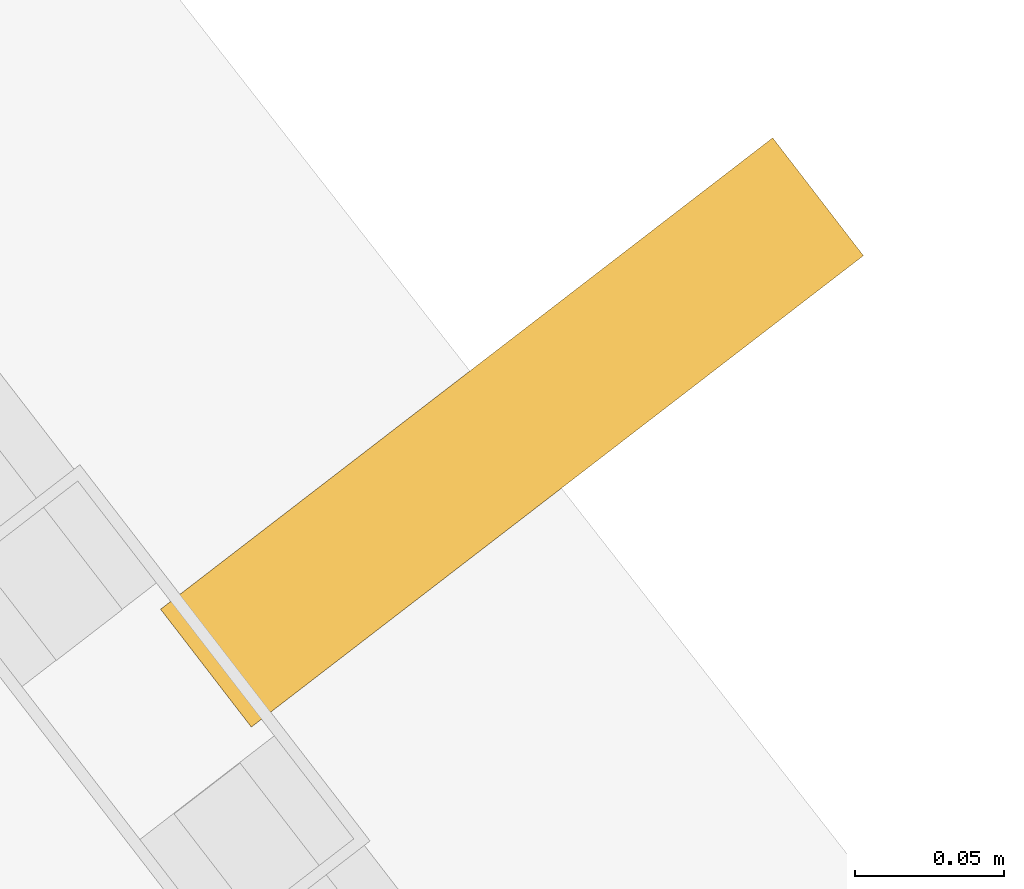
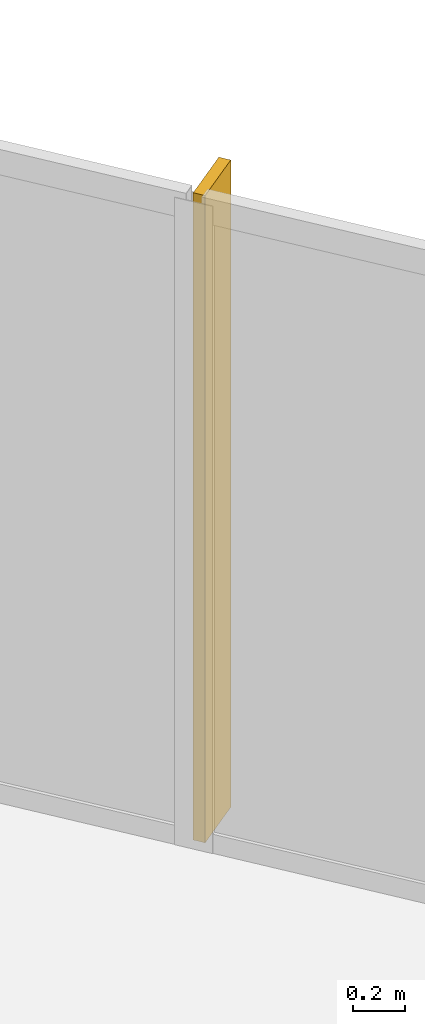
# One storey, part 30 of 30: 1 shading device.
"""IFC4 building model written with IfcOpenShell, lengths in metres."""

from ifc_helpers import new_model, si_unit, direction, frame, origin, origin_2d, place, context, subcontext, project, spatial, rectangle, extrude, material, layer, layer_set, type_object, element, save


model = new_model("IFC4")

# Units and contexts
model_context = context("Model", 3, precision=1e-05, world=origin(), true_north=direction((0.0, 1.0)))
body_context = subcontext(model_context, "Body", "Model", "MODEL_VIEW")
ifc_project = project(units=[si_unit("LENGTHUNIT", "METRE"), si_unit("AREAUNIT", "SQUARE_METRE"), si_unit("VOLUMEUNIT", "CUBIC_METRE"), si_unit("PLANEANGLEUNIT", "RADIAN"), si_unit("MASSUNIT", "GRAM", prefix="KILO")], contexts=[model_context])

# Site, building, storey
site_placement = place(None, origin())
site = spatial("IfcSite", under=ifc_project, at=site_placement, CompositionType="ELEMENT")
building_placement = place(site_placement, origin())
building = spatial("IfcBuilding", under=site, at=building_placement, Name="Orvanel Arch Residences", CompositionType="ELEMENT")
storey_placement = place(building_placement, frame((0.0, 0.0, 226.10009765625)))
storey = spatial("IfcBuildingStorey", under=building, at=storey_placement, Name="L64", CompositionType="ELEMENT", Elevation=226.10009765625)

# Shading device
ifc_material = material(Name="Bronze-anodised aluminium AA6063-T6", Category="aluminium")
ifc_layer = layer(ifc_material, 0.050048828125)
ifc_layer_set = layer_set([ifc_layer], Name="Bronze-anodised aluminium AA6063-T6")
shading_device_type = type_object("IfcShadingDeviceType", Name="FIN-BRZ-260", PredefinedType="USERDEFINED", material=ifc_layer_set)
shading_device_placement = place(storey_placement, frame((40.02587890625, 38.865966796875, -0.000244140625), z_axis=(0.0, 0.0, 1.0), x_axis=(0.792289643355, 0.610145163901, 0.0)))
element("IfcShadingDevice", 1, at=shading_device_placement, inside=storey, type_object=shading_device_type, Name="L64 Anodised Bronze Mullion FIN 01", ObjectType="FIN", PredefinedType="USERDEFINED", context=body_context, shape_type="SweptSolid", body=[
    extrude(rectangle(XDim=0.260009765625, YDim=0.050048828125, at=origin_2d()), origin(), (0.0, 0.0, 1.0), 3.06005859375),
])

save(model, "model.ifc")
